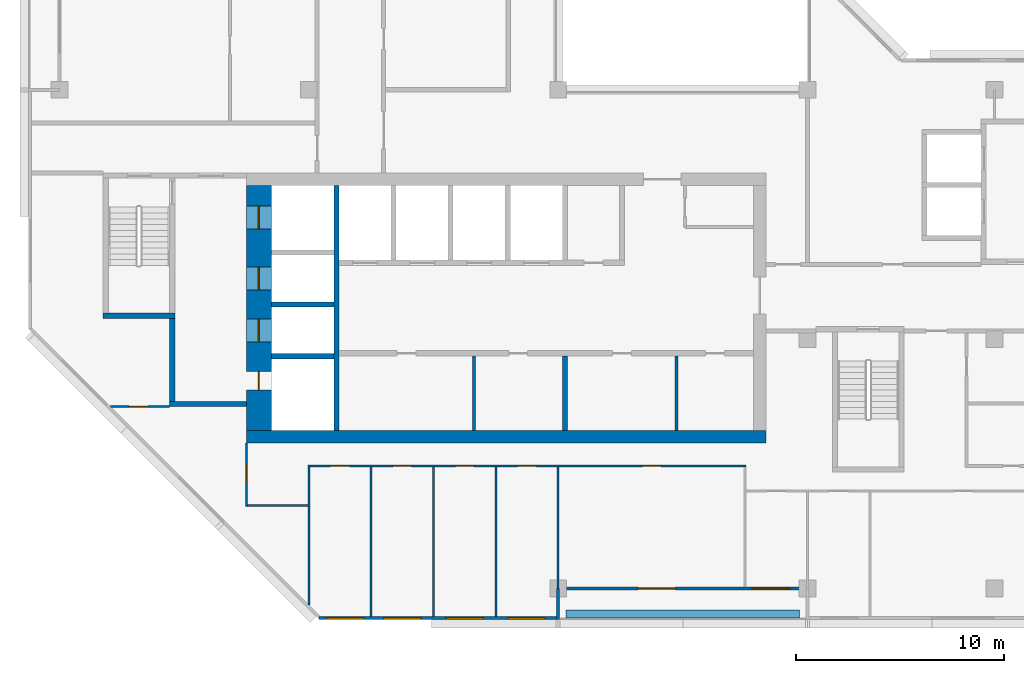
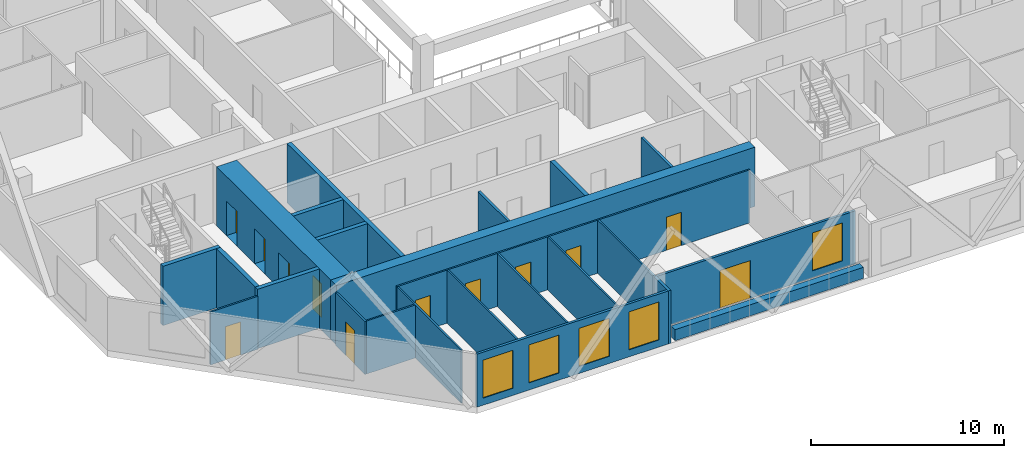
# One storey, part 4 of 13: 24 walls, 12 doors, 5 windows, 17 openings.
"""IFC4 building model written with IfcOpenShell, lengths in metres."""

from ifc_helpers import new_model, si_unit, direction, frame, frame_2d, origin, place, context, subcontext, project, spatial, rectangle, extrude, material, layer, layer_set, type_object, element, fill, save


model = new_model("IFC4")

# Units and contexts
model_context = context("Model", 3, precision=1e-05, world=origin(), true_north=direction((0.0, 1.0)))
body_context = subcontext(model_context, "Body", "Model", "MODEL_VIEW")
ifc_project = project(units=[si_unit("LENGTHUNIT", "METRE"), si_unit("AREAUNIT", "SQUARE_METRE"), si_unit("VOLUMEUNIT", "CUBIC_METRE"), si_unit("PLANEANGLEUNIT", "RADIAN"), si_unit("MASSUNIT", "GRAM", prefix="KILO")], contexts=[model_context])

# Site, building, storey
site_placement = place(None, origin())
site = spatial("IfcSite", under=ifc_project, at=site_placement, CompositionType="ELEMENT")
building_placement = place(site_placement, origin())
building = spatial("IfcBuilding", under=site, at=building_placement, Name="Chenar Terraces", CompositionType="ELEMENT")
storey_placement = place(building_placement, frame((0.0, 0.0, 273.39990234375)))
storey = spatial("IfcBuildingStorey", under=building, at=storey_placement, Name="L63", CompositionType="ELEMENT", Elevation=273.39990234375)

# Walls
ifc_material_1 = material(Name="Gypsum board on steel studs", Category="steel")
ifc_layer_1 = layer(ifc_material_1, 0.14990234375)
ifc_layer_set_1 = layer_set([ifc_layer_1], Name="Gypsum board on steel studs")
wall_type_1 = type_object("IfcWallType", Name="Core partition 150 gypsum board", PredefinedType="PARTITIONING", material=ifc_layer_set_1)
for number, where, z_axis, x_axis, name in (
    (1, (19.949951171875, 7.60009765625, 0.0), (0.0, 0.0, 1.0), (0.0, 1.0, 0.0), "Core partition CP1 freed bay wall"),
    (2, (29.699951171875, 7.60009765625, 0.0), (0.0, 0.0, 1.0), (0.0, 1.0, 0.0), "Core partition CP1 freed bay wall"),
):
    element("IfcWall", number, at=place(storey_placement, frame(where, z_axis=z_axis, x_axis=x_axis)), inside=storey, type_object=wall_type_1, Name=name, PredefinedType="PARTITIONING", context=body_context, shape_type="SweptSolid", body=[
        extrude(rectangle(XDim=3.599853515625, YDim=0.14990234375, at=frame_2d((1.7998046875, 0.0))), origin(), (0.0, 0.0, 1.0), 3.35009765625),
    ])

# Wall, openings, doors
ifc_material_2 = material(Name="Concrete C50/60", Category="concrete")
ifc_layer_2 = layer(ifc_material_2, 1.199951171875)
ifc_layer_set_2 = layer_set([ifc_layer_2], Name="Concrete C50/60")
wall_type_2 = type_object("IfcWallType", Name="Core wall 1200 Concrete C50/60", PredefinedType="SHEAR", material=ifc_layer_set_2)
wall_1_placement = place(storey_placement, frame((9.60009765625, 7.60009765625, 0.0), z_axis=(0.0, 0.0, 1.0), x_axis=(0.0, 1.0, 0.0)))
wall_1 = element("IfcWall", 3, at=wall_1_placement, inside=storey, type_object=wall_type_2, Name="Core wall W L63", PredefinedType="SHEAR", context=body_context, shape_type="SweptSolid", body=[
    extrude(rectangle(XDim=11.7998046875, YDim=1.199951171875, at=frame_2d((5.89990234375, 0.0))), origin(), (0.0, 0.0, 1.0), 3.75),
])
opening_1_placement = place(wall_1_placement, frame((4.27490234375, 0.0, 0.0)))
opening_1 = element("IfcOpeningElement", 4, at=opening_1_placement, cuts=wall_1, Name="Opening DL63-LD5", PredefinedType="OPENING", context=body_context, shape_type="SweptSolid", body=[
    extrude(rectangle(XDim=1.10009765625, YDim=2.199951171875, at=frame_2d((0.550048828125, 1.10009765625))), frame((0.0, 0.60986328125, 0.0), z_axis=(0.0, -1.0, 0.0), x_axis=(1.0, 0.0, 0.0)), (0.0, 0.0, 1.0), 1.219970703125),
])
opening_2_placement = place(wall_1_placement, frame((6.77490234375, 0.0, 0.0)))
opening_2 = element("IfcOpeningElement", 5, at=opening_2_placement, cuts=wall_1, Name="Opening DL63-LD6", PredefinedType="OPENING", context=body_context, shape_type="SweptSolid", body=[
    extrude(rectangle(XDim=1.10009765625, YDim=2.199951171875, at=frame_2d((0.550048828125, 1.10009765625))), frame((0.0, 0.60986328125, 0.0), z_axis=(0.0, -1.0, 0.0), x_axis=(1.0, 0.0, 0.0)), (0.0, 0.0, 1.0), 1.219970703125),
])
opening_3_placement = place(wall_1_placement, frame((9.699951171875, 0.0, 0.0)))
opening_3 = element("IfcOpeningElement", 6, at=opening_3_placement, cuts=wall_1, Name="Opening DL63-LD7", PredefinedType="OPENING", context=body_context, shape_type="SweptSolid", body=[
    extrude(rectangle(XDim=1.10009765625, YDim=2.199951171875, at=frame_2d((0.550048828125, 1.10009765625))), frame((0.0, 0.60986328125, 0.0), z_axis=(0.0, -1.0, 0.0), x_axis=(1.0, 0.0, 0.0)), (0.0, 0.0, 1.0), 1.219970703125),
])
opening_4_placement = place(wall_1_placement, frame((1.949951171875, 0.0, 0.0)))
opening_4 = element("IfcOpeningElement", 7, at=opening_4_placement, cuts=wall_1, Name="Opening DL63-C4", PredefinedType="OPENING", context=body_context, shape_type="SweptSolid", body=[
    extrude(rectangle(XDim=0.89990234375, YDim=2.10009765625, at=frame_2d((0.449951171875, 1.050048828125))), frame((0.0, 0.60986328125, 0.0), z_axis=(0.0, -1.0, 0.0), x_axis=(1.0, 0.0, 0.0)), (0.0, 0.0, 1.0), 1.219970703125),
])
ifc_material_3 = material(Name="Stainless steel", Category="steel")
door_type_1 = type_object("IfcDoorType", Name="Lift landing door 1100 x 2200 sliding", OperationType="DOUBLE_DOOR_SLIDING", PredefinedType="DOOR", material=ifc_material_3)
door_1_placement = place(opening_1_placement, origin())
door_1 = element("IfcDoor", 8, at=door_1_placement, inside=storey, type_object=door_type_1, Name="Landing door S1", OperationType="DOUBLE_DOOR_SLIDING", OverallHeight=2.199951171875, OverallWidth=1.10009765625, PredefinedType="DOOR", context=body_context, shape_type="SweptSolid", body=[
    extrude(rectangle(XDim=1.10009765625, YDim=2.199951171875, at=frame_2d((0.550048828125, 1.10009765625))), frame((0.0, 0.02490234375, 0.0), z_axis=(0.0, -1.0, 0.0), x_axis=(1.0, 0.0, 0.0)), (0.0, 0.0, 1.0), 0.050048828125),
])
fill(opening_1, door_1)
door_2_placement = place(opening_2_placement, origin())
door_2 = element("IfcDoor", 9, at=door_2_placement, inside=storey, type_object=door_type_1, Name="Landing door F1", OperationType="DOUBLE_DOOR_SLIDING", OverallHeight=2.199951171875, OverallWidth=1.10009765625, PredefinedType="DOOR", context=body_context, shape_type="SweptSolid", body=[
    extrude(rectangle(XDim=1.10009765625, YDim=2.199951171875, at=frame_2d((0.550048828125, 1.10009765625))), frame((0.0, 0.02490234375, 0.0), z_axis=(0.0, -1.0, 0.0), x_axis=(1.0, 0.0, 0.0)), (0.0, 0.0, 1.0), 0.050048828125),
])
fill(opening_2, door_2)
door_3_placement = place(opening_3_placement, origin())
door_3 = element("IfcDoor", 10, at=door_3_placement, inside=storey, type_object=door_type_1, Name="Landing door F2", OperationType="DOUBLE_DOOR_SLIDING", OverallHeight=2.199951171875, OverallWidth=1.10009765625, PredefinedType="DOOR", context=body_context, shape_type="SweptSolid", body=[
    extrude(rectangle(XDim=1.10009765625, YDim=2.199951171875, at=frame_2d((0.550048828125, 1.10009765625))), frame((0.0, 0.02490234375, 0.0), z_axis=(0.0, -1.0, 0.0), x_axis=(1.0, 0.0, 0.0)), (0.0, 0.0, 1.0), 0.050048828125),
])
fill(opening_3, door_3)
ifc_material_4 = material(Name="Steel-framed fire-resisting door leaf", Category="steel")
door_type_2 = type_object("IfcDoorType", Name="Riser fire door FD60 900 x 2100", OperationType="SINGLE_SWING_LEFT", PredefinedType="DOOR", material=ifc_material_4)
door_4_placement = place(opening_4_placement, frame((0.89990234375, 0.0, 0.0), z_axis=(0.0, 0.0, 1.0), x_axis=(-1.0, 0.0, 0.0)))
door_4 = element("IfcDoor", 11, at=door_4_placement, inside=storey, type_object=door_type_2, Name="Riser door DL63-C4", OperationType="SINGLE_SWING_LEFT", OverallHeight=2.10009765625, OverallWidth=0.89990234375, PredefinedType="DOOR", context=body_context, shape_type="SweptSolid", body=[
    extrude(rectangle(XDim=0.89990234375, YDim=2.10009765625, at=frame_2d((0.449951171875, 1.050048828125))), frame((0.0, 0.02490234375, 0.0), z_axis=(0.0, -1.0, 0.0), x_axis=(1.0, 0.0, 0.0)), (0.0, 0.0, 1.0), 0.050048828125),
])
fill(opening_4, door_4)

# Walls
ifc_material_5 = material(Name="Concrete C50/60", Category="concrete")
ifc_layer_3 = layer(ifc_material_5, 0.25)
ifc_layer_set_3 = layer_set([ifc_layer_3], Name="Concrete C50/60")
wall_type_3 = type_object("IfcWallType", Name="Core wall 250 Concrete C50/60", PredefinedType="SHEAR", material=ifc_layer_set_3)
wall_2_placement = place(storey_placement, frame((13.324951171875, 7.60009765625, 0.0), z_axis=(0.0, 0.0, 1.0), x_axis=(0.0, 1.0, 0.0)))
element("IfcWall", 12, at=wall_2_placement, inside=storey, type_object=wall_type_3, Name="Core wall WI L63", PredefinedType="SHEAR", context=body_context, shape_type="SweptSolid", body=[
    extrude(rectangle(XDim=11.7998046875, YDim=0.25, at=frame_2d((5.89990234375, 0.0))), origin(), (0.0, 0.0, 1.0), 3.75),
])
for number, where, z_axis, x_axis, name in (
    (13, (10.199951171875, 11.175048828125, 0.0), (0.0, 0.0, 1.0), (1.0, 0.0, 0.0), "Core wall HW0 L63"),
    (14, (10.199951171875, 13.675048828125, 0.0), (0.0, 0.0, 1.0), (1.0, 0.0, 0.0), "Core wall HW1 L63"),
):
    element("IfcWall", number, at=place(storey_placement, frame(where, z_axis=z_axis, x_axis=x_axis)), inside=storey, type_object=wall_type_3, Name=name, PredefinedType="SHEAR", context=body_context, shape_type="SweptSolid", body=[
        extrude(rectangle(XDim=3.0, YDim=0.25, at=frame_2d((1.5, 0.0))), origin(), (0.0, 0.0, 1.0), 3.75),
    ])
wall_3_placement = place(storey_placement, frame((24.324951171875, 7.60009765625, 0.0), z_axis=(0.0, 0.0, 1.0), x_axis=(0.0, 1.0, 0.0)))
element("IfcWall", 15, at=wall_3_placement, inside=storey, type_object=wall_type_3, Name="Core wall SS3 L63", PredefinedType="SHEAR", context=body_context, shape_type="SweptSolid", body=[
    extrude(rectangle(XDim=3.599853515625, YDim=0.25, at=frame_2d((1.7998046875, 0.0))), origin(), (0.0, 0.0, 1.0), 3.75),
])
wall_4_placement = place(storey_placement, frame((2.10009765625, 13.125, 0.0), z_axis=(0.0, 0.0, 1.0), x_axis=(1.0, 0.0, 0.0)))
element("IfcWall", 16, at=wall_4_placement, inside=storey, type_object=wall_type_3, Name="Core wall ST1_S L63", PredefinedType="SHEAR", context=body_context, shape_type="SweptSolid", body=[
    extrude(rectangle(XDim=3.449951171875, YDim=0.25, at=frame_2d((1.72509765625, 0.0))), origin(), (0.0, 0.0, 1.0), 3.75),
])
wall_5_placement = place(storey_placement, frame((5.300048828125, 8.875, 0.0), z_axis=(0.0, 0.0, 1.0), x_axis=(1.0, 0.0, 0.0)))
element("IfcWall", 17, at=wall_5_placement, inside=storey, type_object=wall_type_3, Name="Core wall FFL_S L63", PredefinedType="SHEAR", context=body_context, shape_type="SweptSolid", body=[
    extrude(rectangle(XDim=3.699951171875, YDim=0.25, at=frame_2d((1.85009765625, 0.0))), origin(), (0.0, 0.0, 1.0), 3.75),
])
wall_6_placement = place(storey_placement, frame((5.425048828125, 9.0, 0.0), z_axis=(0.0, 0.0, 1.0), x_axis=(0.0, 1.0, 0.0)))
element("IfcWall", 18, at=wall_6_placement, inside=storey, type_object=wall_type_3, Name="Core wall FFL_W L63", PredefinedType="SHEAR", context=body_context, shape_type="SweptSolid", body=[
    extrude(rectangle(XDim=4.0, YDim=0.25, at=frame_2d((2.0, 0.0))), origin(), (0.0, 0.0, 1.0), 3.75),
])
ifc_material_6 = material(Name="Concrete C50/60", Category="concrete")
ifc_layer_4 = layer(ifc_material_6, 0.60009765625)
ifc_layer_set_4 = layer_set([ifc_layer_4], Name="Concrete C50/60")
wall_type_4 = type_object("IfcWallType", Name="Core wall 600 Concrete C50/60", PredefinedType="SHEAR", material=ifc_layer_set_4)
wall_7_placement = place(storey_placement, frame((9.0, 7.300048828125, 0.0), z_axis=(0.0, 0.0, 1.0), x_axis=(1.0, 0.0, 0.0)))
element("IfcWall", 19, at=wall_7_placement, inside=storey, type_object=wall_type_4, Name="Core wall S L63", PredefinedType="SHEAR", context=body_context, shape_type="SweptSolid", body=[
    extrude(rectangle(XDim=25.0, YDim=0.60009765625, at=frame_2d((12.5, 0.0))), origin(), (0.0, 0.0, 1.0), 3.75),
])

# Wall, openings, windows
ifc_material_7 = material(Name="Aluminium framed glazing", Category="aluminium")
ifc_layer_5 = layer(ifc_material_7, 0.14990234375)
ifc_layer_set_5 = layer_set([ifc_layer_5], Name="Aluminium framed glazing")
wall_type_5 = type_object("IfcWallType", Name="Glazed flush facade wall 150", PredefinedType="SOLIDWALL", material=ifc_layer_set_5)
wall_8_placement = place(storey_placement, frame((12.5, -1.425048828125, 0.0), z_axis=(0.0, 0.0, 1.0), x_axis=(1.0, 0.0, 0.0)))
wall_8 = element("IfcWall", 20, at=wall_8_placement, inside=storey, type_object=wall_type_5, Name="Glazed flush facade wall", PredefinedType="SOLIDWALL", context=body_context, shape_type="SweptSolid", body=[
    extrude(rectangle(XDim=11.425048828125, YDim=0.14990234375, at=frame_2d((5.71240234375, 0.0))), origin(), (0.0, 0.0, 1.0), 3.35009765625),
])
opening_5_placement = place(wall_8_placement, frame((0.35009765625, 0.0, 0.449951171875)))
opening_5 = element("IfcOpeningElement", 21, at=opening_5_placement, cuts=wall_8, Name="Opening W180x240", PredefinedType="OPENING", context=body_context, shape_type="SweptSolid", body=[
    extrude(rectangle(XDim=1.800048828125, YDim=2.39990234375, at=frame_2d((0.89990234375, 1.199951171875))), frame((0.0, 0.0849609375, 0.0), z_axis=(0.0, -1.0, 0.0), x_axis=(1.0, 0.0, 0.0)), (0.0, 0.0, 1.0), 0.169921875),
])
opening_6_placement = place(wall_8_placement, frame((3.10009765625, 0.0, 0.449951171875)))
opening_6 = element("IfcOpeningElement", 22, at=opening_6_placement, cuts=wall_8, Name="Opening W180x240", PredefinedType="OPENING", context=body_context, shape_type="SweptSolid", body=[
    extrude(rectangle(XDim=1.800048828125, YDim=2.39990234375, at=frame_2d((0.89990234375, 1.199951171875))), frame((0.0, 0.0849609375, 0.0), z_axis=(0.0, -1.0, 0.0), x_axis=(1.0, 0.0, 0.0)), (0.0, 0.0, 1.0), 0.169921875),
])
opening_7_placement = place(wall_8_placement, frame((6.10009765625, 0.0, 0.449951171875)))
opening_7 = element("IfcOpeningElement", 23, at=opening_7_placement, cuts=wall_8, Name="Opening W180x240", PredefinedType="OPENING", context=body_context, shape_type="SweptSolid", body=[
    extrude(rectangle(XDim=1.800048828125, YDim=2.39990234375, at=frame_2d((0.89990234375, 1.199951171875))), frame((0.0, 0.0849609375, 0.0), z_axis=(0.0, -1.0, 0.0), x_axis=(1.0, 0.0, 0.0)), (0.0, 0.0, 1.0), 0.169921875),
])
opening_8_placement = place(wall_8_placement, frame((9.0625, 0.0, 0.449951171875)))
opening_8 = element("IfcOpeningElement", 24, at=opening_8_placement, cuts=wall_8, Name="Opening W180x240", PredefinedType="OPENING", context=body_context, shape_type="SweptSolid", body=[
    extrude(rectangle(XDim=1.800048828125, YDim=2.39990234375, at=frame_2d((0.89990234375, 1.199951171875))), frame((0.0, 0.0849609375, 0.0), z_axis=(0.0, -1.0, 0.0), x_axis=(1.0, 0.0, 0.0)), (0.0, 0.0, 1.0), 0.169921875),
])
ifc_material_8 = material(Name="Low emissivity double glazing, aluminium frame", Category="aluminium")
window_type = type_object("IfcWindowType", Name="Fixed light 1800 x 2400", PartitioningType="SINGLE_PANEL", PredefinedType="WINDOW", material=ifc_material_8)
window_1_placement = place(opening_5_placement, origin())
window_1 = element("IfcWindow", 25, at=window_1_placement, inside=storey, type_object=window_type, Name="Window", OverallHeight=2.39990234375, OverallWidth=1.800048828125, PartitioningType="SINGLE_PANEL", PredefinedType="WINDOW", context=body_context, shape_type="SweptSolid", body=[
    extrude(rectangle(XDim=1.800048828125, YDim=2.39990234375, at=frame_2d((0.89990234375, 1.199951171875))), frame((0.0, 0.030029296875, 0.0), z_axis=(0.0, -1.0, 0.0), x_axis=(1.0, 0.0, 0.0)), (0.0, 0.0, 1.0), 0.06005859375),
])
fill(opening_5, window_1)
window_2_placement = place(opening_6_placement, origin())
window_2 = element("IfcWindow", 26, at=window_2_placement, inside=storey, type_object=window_type, Name="Window", OverallHeight=2.39990234375, OverallWidth=1.800048828125, PartitioningType="SINGLE_PANEL", PredefinedType="WINDOW", context=body_context, shape_type="SweptSolid", body=[
    extrude(rectangle(XDim=1.800048828125, YDim=2.39990234375, at=frame_2d((0.89990234375, 1.199951171875))), frame((0.0, 0.030029296875, 0.0), z_axis=(0.0, -1.0, 0.0), x_axis=(1.0, 0.0, 0.0)), (0.0, 0.0, 1.0), 0.06005859375),
])
fill(opening_6, window_2)
window_3_placement = place(opening_7_placement, origin())
window_3 = element("IfcWindow", 27, at=window_3_placement, inside=storey, type_object=window_type, Name="Window", OverallHeight=2.39990234375, OverallWidth=1.800048828125, PartitioningType="SINGLE_PANEL", PredefinedType="WINDOW", context=body_context, shape_type="SweptSolid", body=[
    extrude(rectangle(XDim=1.800048828125, YDim=2.39990234375, at=frame_2d((0.89990234375, 1.199951171875))), frame((0.0, 0.030029296875, 0.0), z_axis=(0.0, -1.0, 0.0), x_axis=(1.0, 0.0, 0.0)), (0.0, 0.0, 1.0), 0.06005859375),
])
fill(opening_7, window_3)
window_4_placement = place(opening_8_placement, origin())
window_4 = element("IfcWindow", 28, at=window_4_placement, inside=storey, type_object=window_type, Name="Window", OverallHeight=2.39990234375, OverallWidth=1.800048828125, PartitioningType="SINGLE_PANEL", PredefinedType="WINDOW", context=body_context, shape_type="SweptSolid", body=[
    extrude(rectangle(XDim=1.800048828125, YDim=2.39990234375, at=frame_2d((0.89990234375, 1.199951171875))), frame((0.0, 0.030029296875, 0.0), z_axis=(0.0, -1.0, 0.0), x_axis=(1.0, 0.0, 0.0)), (0.0, 0.0, 1.0), 0.06005859375),
])
fill(opening_8, window_4)

# Wall, openings, window, door
ifc_material_9 = material(Name="Aluminium framed glazing", Category="aluminium")
ifc_layer_6 = layer(ifc_material_9, 0.14990234375)
ifc_layer_set_6 = layer_set([ifc_layer_6], Name="Aluminium framed glazing")
wall_type_6 = type_object("IfcWallType", Name="Glazed loggia back wall 150", PredefinedType="SOLIDWALL", material=ifc_layer_set_6)
wall_9_placement = place(storey_placement, frame((24.074951171875, 0.0, 0.0), z_axis=(0.0, 0.0, 1.0), x_axis=(1.0, 0.0, 0.0)))
wall_9 = element("IfcWall", 29, at=wall_9_placement, inside=storey, type_object=wall_type_6, Name="Glazed loggia back wall", PredefinedType="SOLIDWALL", context=body_context, shape_type="SweptSolid", body=[
    extrude(rectangle(XDim=11.85009765625, YDim=0.14990234375, at=frame_2d((5.925048828125, 0.0))), origin(), (0.0, 0.0, 1.0), 3.35009765625),
])
opening_9_placement = place(wall_9_placement, frame((3.77490234375, 0.0, 0.0)))
opening_9 = element("IfcOpeningElement", 30, at=opening_9_placement, cuts=wall_9, Name="Opening DL63-G4", PredefinedType="OPENING", context=body_context, shape_type="SweptSolid", body=[
    extrude(rectangle(XDim=1.800048828125, YDim=2.39990234375, at=frame_2d((0.89990234375, 1.199951171875))), frame((0.0, 0.0849609375, 0.0), z_axis=(0.0, -1.0, 0.0), x_axis=(1.0, 0.0, 0.0)), (0.0, 0.0, 1.0), 0.169921875),
])
opening_10_placement = place(wall_9_placement, frame((9.27490234375, 0.0, 0.449951171875)))
opening_10 = element("IfcOpeningElement", 31, at=opening_10_placement, cuts=wall_9, Name="Opening W180x240", PredefinedType="OPENING", context=body_context, shape_type="SweptSolid", body=[
    extrude(rectangle(XDim=1.800048828125, YDim=2.39990234375, at=frame_2d((0.89990234375, 1.199951171875))), frame((0.0, 0.0849609375, 0.0), z_axis=(0.0, -1.0, 0.0), x_axis=(1.0, 0.0, 0.0)), (0.0, 0.0, 1.0), 0.169921875),
])
window_5_placement = place(opening_10_placement, origin())
window_5 = element("IfcWindow", 32, at=window_5_placement, inside=storey, type_object=window_type, Name="Window", OverallHeight=2.39990234375, OverallWidth=1.800048828125, PartitioningType="SINGLE_PANEL", PredefinedType="WINDOW", context=body_context, shape_type="SweptSolid", body=[
    extrude(rectangle(XDim=1.800048828125, YDim=2.39990234375, at=frame_2d((0.89990234375, 1.199951171875))), frame((0.0, 0.030029296875, 0.0), z_axis=(0.0, -1.0, 0.0), x_axis=(1.0, 0.0, 0.0)), (0.0, 0.0, 1.0), 0.06005859375),
])
fill(opening_10, window_5)
ifc_material_10 = material(Name="Low emissivity double glazing, aluminium frame", Category="aluminium")
door_type_3 = type_object("IfcDoorType", Name="Loggia glazed double door 1800 x 2400", OperationType="DOUBLE_DOOR_SINGLE_SWING", PredefinedType="DOOR", material=ifc_material_10)
door_5_placement = place(opening_9_placement, frame((1.800048828125, 0.0, 0.0), z_axis=(0.0, 0.0, 1.0), x_axis=(-1.0, 0.0, 0.0)))
door_5 = element("IfcDoor", 33, at=door_5_placement, inside=storey, type_object=door_type_3, Name="Loggia glazed door", OperationType="DOUBLE_DOOR_SINGLE_SWING", OverallHeight=2.39990234375, OverallWidth=1.800048828125, PredefinedType="DOOR", context=body_context, shape_type="SweptSolid", body=[
    extrude(rectangle(XDim=1.800048828125, YDim=2.39990234375, at=frame_2d((0.89990234375, 1.199951171875))), frame((0.0, 0.02490234375, 0.0), z_axis=(0.0, -1.0, 0.0), x_axis=(1.0, 0.0, 0.0)), (0.0, 0.0, 1.0), 0.050048828125),
])
fill(opening_9, door_5)

# Wall, opening, door
ifc_material_11 = material(Name="Gypsum board on steel studs", Category="steel")
ifc_layer_7 = layer(ifc_material_11, 0.10009765625)
ifc_layer_set_7 = layer_set([ifc_layer_7], Name="Gypsum board on steel studs")
wall_type_7 = type_object("IfcWallType", Name="Gypsum partition 100", PredefinedType="PARTITIONING", material=ifc_layer_set_7)
wall_10_placement = place(storey_placement, frame((2.4609375, 8.75, 0.0), z_axis=(0.0, 0.0, 1.0), x_axis=(1.0, 0.0, 0.0)))
wall_10 = element("IfcWall", 34, at=wall_10_placement, inside=storey, type_object=wall_type_7, Name="Partition L63-010", PredefinedType="PARTITIONING", context=body_context, shape_type="SweptSolid", body=[
    extrude(rectangle(XDim=2.839111328125, YDim=0.10009765625, at=frame_2d((1.41943359375, 0.0))), origin(), (0.0, 0.0, 1.0), 3.35009765625),
])
opening_11_placement = place(wall_10_placement, frame((0.888916015625, 0.0, 0.0)))
opening_11 = element("IfcOpeningElement", 35, at=opening_11_placement, cuts=wall_10, Name="Opening DL63-42", PredefinedType="OPENING", context=body_context, shape_type="SweptSolid", body=[
    extrude(rectangle(XDim=0.89990234375, YDim=2.10009765625, at=frame_2d((0.449951171875, 1.050048828125))), frame((0.0, 0.06005859375, 0.0), z_axis=(0.0, -1.0, 0.0), x_axis=(1.0, 0.0, 0.0)), (0.0, 0.0, 1.0), 0.1201171875),
])
ifc_material_12 = material(Name="Veneered timber door leaf", Category="wood")
door_type_4 = type_object("IfcDoorType", Name="Door 900 x 2100", OperationType="SINGLE_SWING_LEFT", PredefinedType="DOOR", material=ifc_material_12)
door_6_placement = place(opening_11_placement, frame((0.89990234375, 0.0, 0.0), z_axis=(0.0, 0.0, 1.0), x_axis=(-1.0, 0.0, 0.0)))
door_6 = element("IfcDoor", 36, at=door_6_placement, inside=storey, type_object=door_type_4, Name="Door DL63-42", OperationType="SINGLE_SWING_RIGHT", OverallHeight=2.10009765625, OverallWidth=0.89990234375, PredefinedType="DOOR", context=body_context, shape_type="SweptSolid", body=[
    extrude(rectangle(XDim=0.89990234375, YDim=2.10009765625, at=frame_2d((0.449951171875, 1.050048828125))), frame((0.0, 0.02490234375, 0.0), z_axis=(0.0, -1.0, 0.0), x_axis=(1.0, 0.0, 0.0)), (0.0, 0.0, 1.0), 0.050048828125),
])
fill(opening_11, door_6)

wall_11_placement = place(storey_placement, frame((9.0, 3.949951171875, 0.0), z_axis=(0.0, 0.0, 1.0), x_axis=(0.0, 1.0, 0.0)))
wall_11 = element("IfcWall", 37, at=wall_11_placement, inside=storey, type_object=wall_type_7, Name="Partition L63-024", PredefinedType="PARTITIONING", context=body_context, shape_type="SweptSolid", body=[
    extrude(rectangle(XDim=3.050048828125, YDim=0.10009765625, at=frame_2d((1.52490234375, 0.0))), origin(), (0.0, 0.0, 1.0), 3.35009765625),
])
opening_12_placement = place(wall_11_placement, frame((1.10009765625, 0.0, 0.0)))
opening_12 = element("IfcOpeningElement", 38, at=opening_12_placement, cuts=wall_11, Name="Opening DL63-41", PredefinedType="OPENING", context=body_context, shape_type="SweptSolid", body=[
    extrude(rectangle(XDim=0.89990234375, YDim=2.10009765625, at=frame_2d((0.449951171875, 1.050048828125))), frame((0.0, 0.06005859375, 0.0), z_axis=(0.0, -1.0, 0.0), x_axis=(1.0, 0.0, 0.0)), (0.0, 0.0, 1.0), 0.1201171875),
])
door_7_placement = place(opening_12_placement, origin())
door_7 = element("IfcDoor", 39, at=door_7_placement, inside=storey, type_object=door_type_4, Name="Door DL63-41", OperationType="SINGLE_SWING_LEFT", OverallHeight=2.10009765625, OverallWidth=0.89990234375, PredefinedType="DOOR", context=body_context, shape_type="SweptSolid", body=[
    extrude(rectangle(XDim=0.89990234375, YDim=2.10009765625, at=frame_2d((0.449951171875, 1.050048828125))), frame((0.0, 0.02490234375, 0.0), z_axis=(0.0, -1.0, 0.0), x_axis=(1.0, 0.0, 0.0)), (0.0, 0.0, 1.0), 0.050048828125),
])
fill(opening_12, door_7)

# Wall
wall_12_placement = place(storey_placement, frame((9.050048828125, 4.0, 0.0), z_axis=(0.0, 0.0, 1.0), x_axis=(1.0, 0.0, 0.0)))
element("IfcWall", 40, at=wall_12_placement, inside=storey, type_object=wall_type_7, Name="Partition L63-025", PredefinedType="PARTITIONING", context=body_context, shape_type="SweptSolid", body=[
    extrude(rectangle(XDim=2.89990234375, YDim=0.10009765625, at=frame_2d((1.449951171875, 0.0))), origin(), (0.0, 0.0, 1.0), 3.35009765625),
])

# Wall, openings, doors
wall_13_placement = place(storey_placement, frame((11.949951171875, 5.89990234375, 0.0), z_axis=(0.0, 0.0, 1.0), x_axis=(1.0, 0.0, 0.0)))
wall_13 = element("IfcWall", 41, at=wall_13_placement, inside=storey, type_object=wall_type_7, Name="Partition L63-026", PredefinedType="PARTITIONING", context=body_context, shape_type="SweptSolid", body=[
    extrude(rectangle(XDim=21.10009765625, YDim=0.10009765625, at=frame_2d((10.550048828125, 0.0))), origin(), (0.0, 0.0, 1.0), 3.35009765625),
])
opening_13_placement = place(wall_13_placement, frame((1.10009765625, 0.0, 0.0)))
opening_13 = element("IfcOpeningElement", 42, at=opening_13_placement, cuts=wall_13, Name="Opening DL63-35", PredefinedType="OPENING", context=body_context, shape_type="SweptSolid", body=[
    extrude(rectangle(XDim=0.89990234375, YDim=2.10009765625, at=frame_2d((0.449951171875, 1.050048828125))), frame((0.0, 0.06005859375, 0.0), z_axis=(0.0, -1.0, 0.0), x_axis=(1.0, 0.0, 0.0)), (0.0, 0.0, 1.0), 0.1201171875),
])
opening_14_placement = place(wall_13_placement, frame((4.10009765625, 0.0, 0.0)))
opening_14 = element("IfcOpeningElement", 43, at=opening_14_placement, cuts=wall_13, Name="Opening DL63-36", PredefinedType="OPENING", context=body_context, shape_type="SweptSolid", body=[
    extrude(rectangle(XDim=0.89990234375, YDim=2.10009765625, at=frame_2d((0.449951171875, 1.050048828125))), frame((0.0, 0.06005859375, 0.0), z_axis=(0.0, -1.0, 0.0), x_axis=(1.0, 0.0, 0.0)), (0.0, 0.0, 1.0), 0.1201171875),
])
opening_15_placement = place(wall_13_placement, frame((7.10009765625, 0.0, 0.0)))
opening_15 = element("IfcOpeningElement", 44, at=opening_15_placement, cuts=wall_13, Name="Opening DL63-37", PredefinedType="OPENING", context=body_context, shape_type="SweptSolid", body=[
    extrude(rectangle(XDim=0.89990234375, YDim=2.10009765625, at=frame_2d((0.449951171875, 1.050048828125))), frame((0.0, 0.06005859375, 0.0), z_axis=(0.0, -1.0, 0.0), x_axis=(1.0, 0.0, 0.0)), (0.0, 0.0, 1.0), 0.1201171875),
])
opening_16_placement = place(wall_13_placement, frame((10.10009765625, 0.0, 0.0)))
opening_16 = element("IfcOpeningElement", 45, at=opening_16_placement, cuts=wall_13, Name="Opening DL63-38", PredefinedType="OPENING", context=body_context, shape_type="SweptSolid", body=[
    extrude(rectangle(XDim=0.89990234375, YDim=2.10009765625, at=frame_2d((0.449951171875, 1.050048828125))), frame((0.0, 0.06005859375, 0.0), z_axis=(0.0, -1.0, 0.0), x_axis=(1.0, 0.0, 0.0)), (0.0, 0.0, 1.0), 0.1201171875),
])
opening_17_placement = place(wall_13_placement, frame((16.10009765625, 0.0, 0.0)))
opening_17 = element("IfcOpeningElement", 46, at=opening_17_placement, cuts=wall_13, Name="Opening DL63-45", PredefinedType="OPENING", context=body_context, shape_type="SweptSolid", body=[
    extrude(rectangle(XDim=0.89990234375, YDim=2.10009765625, at=frame_2d((0.449951171875, 1.050048828125))), frame((0.0, 0.06005859375, 0.0), z_axis=(0.0, -1.0, 0.0), x_axis=(1.0, 0.0, 0.0)), (0.0, 0.0, 1.0), 0.1201171875),
])
door_8_placement = place(opening_13_placement, frame((0.89990234375, 0.0, 0.0), z_axis=(0.0, 0.0, 1.0), x_axis=(-1.0, 0.0, 0.0)))
door_8 = element("IfcDoor", 47, at=door_8_placement, inside=storey, type_object=door_type_4, Name="Door DL63-35", OperationType="SINGLE_SWING_RIGHT", OverallHeight=2.10009765625, OverallWidth=0.89990234375, PredefinedType="DOOR", context=body_context, shape_type="SweptSolid", body=[
    extrude(rectangle(XDim=0.89990234375, YDim=2.10009765625, at=frame_2d((0.449951171875, 1.050048828125))), frame((0.0, 0.02490234375, 0.0), z_axis=(0.0, -1.0, 0.0), x_axis=(1.0, 0.0, 0.0)), (0.0, 0.0, 1.0), 0.050048828125),
])
fill(opening_13, door_8)
door_9_placement = place(opening_14_placement, frame((0.89990234375, 0.0, 0.0), z_axis=(0.0, 0.0, 1.0), x_axis=(-1.0, 0.0, 0.0)))
door_9 = element("IfcDoor", 48, at=door_9_placement, inside=storey, type_object=door_type_4, Name="Door DL63-36", OperationType="SINGLE_SWING_RIGHT", OverallHeight=2.10009765625, OverallWidth=0.89990234375, PredefinedType="DOOR", context=body_context, shape_type="SweptSolid", body=[
    extrude(rectangle(XDim=0.89990234375, YDim=2.10009765625, at=frame_2d((0.449951171875, 1.050048828125))), frame((0.0, 0.02490234375, 0.0), z_axis=(0.0, -1.0, 0.0), x_axis=(1.0, 0.0, 0.0)), (0.0, 0.0, 1.0), 0.050048828125),
])
fill(opening_14, door_9)
door_10_placement = place(opening_15_placement, frame((0.89990234375, 0.0, 0.0), z_axis=(0.0, 0.0, 1.0), x_axis=(-1.0, 0.0, 0.0)))
door_10 = element("IfcDoor", 49, at=door_10_placement, inside=storey, type_object=door_type_4, Name="Door DL63-37", OperationType="SINGLE_SWING_RIGHT", OverallHeight=2.10009765625, OverallWidth=0.89990234375, PredefinedType="DOOR", context=body_context, shape_type="SweptSolid", body=[
    extrude(rectangle(XDim=0.89990234375, YDim=2.10009765625, at=frame_2d((0.449951171875, 1.050048828125))), frame((0.0, 0.02490234375, 0.0), z_axis=(0.0, -1.0, 0.0), x_axis=(1.0, 0.0, 0.0)), (0.0, 0.0, 1.0), 0.050048828125),
])
fill(opening_15, door_10)
door_11_placement = place(opening_16_placement, frame((0.89990234375, 0.0, 0.0), z_axis=(0.0, 0.0, 1.0), x_axis=(-1.0, 0.0, 0.0)))
door_11 = element("IfcDoor", 50, at=door_11_placement, inside=storey, type_object=door_type_4, Name="Door DL63-38", OperationType="SINGLE_SWING_RIGHT", OverallHeight=2.10009765625, OverallWidth=0.89990234375, PredefinedType="DOOR", context=body_context, shape_type="SweptSolid", body=[
    extrude(rectangle(XDim=0.89990234375, YDim=2.10009765625, at=frame_2d((0.449951171875, 1.050048828125))), frame((0.0, 0.02490234375, 0.0), z_axis=(0.0, -1.0, 0.0), x_axis=(1.0, 0.0, 0.0)), (0.0, 0.0, 1.0), 0.050048828125),
])
fill(opening_16, door_11)
door_12_placement = place(opening_17_placement, frame((0.89990234375, 0.0, 0.0), z_axis=(0.0, 0.0, 1.0), x_axis=(-1.0, 0.0, 0.0)))
door_12 = element("IfcDoor", 51, at=door_12_placement, inside=storey, type_object=door_type_4, Name="Door DL63-45", OperationType="SINGLE_SWING_RIGHT", OverallHeight=2.10009765625, OverallWidth=0.89990234375, PredefinedType="DOOR", context=body_context, shape_type="SweptSolid", body=[
    extrude(rectangle(XDim=0.89990234375, YDim=2.10009765625, at=frame_2d((0.449951171875, 1.050048828125))), frame((0.0, 0.02490234375, 0.0), z_axis=(0.0, -1.0, 0.0), x_axis=(1.0, 0.0, 0.0)), (0.0, 0.0, 1.0), 0.050048828125),
])
fill(opening_17, door_12)

# Walls
wall_14_placement = place(storey_placement, frame((12.0, -0.787841796875, 0.0), z_axis=(0.0, 0.0, 1.0), x_axis=(0.0, 1.0, 0.0)))
element("IfcWall", 52, at=wall_14_placement, inside=storey, type_object=wall_type_7, Name="Partition L63-027", PredefinedType="PARTITIONING", context=body_context, shape_type="SweptSolid", body=[
    extrude(rectangle(XDim=6.637939453125, YDim=0.10009765625, at=frame_2d((3.31884765625, 0.0))), origin(), (0.0, 0.0, 1.0), 3.35009765625),
])
for number, where, z_axis, x_axis, name in (
    (53, (15.0, -1.35107421875, 0.0), (0.0, 0.0, 1.0), (0.0, 1.0, 0.0), "Partition L63-029"),
    (54, (18.0, -1.35107421875, 0.0), (0.0, 0.0, 1.0), (0.0, 1.0, 0.0), "Partition L63-038"),
    (55, (21.0, -1.35107421875, 0.0), (0.0, 0.0, 1.0), (0.0, 1.0, 0.0), "Partition L63-042"),
):
    element("IfcWall", number, at=place(storey_placement, frame(where, z_axis=z_axis, x_axis=x_axis)), inside=storey, type_object=wall_type_7, Name=name, PredefinedType="PARTITIONING", context=body_context, shape_type="SweptSolid", body=[
        extrude(rectangle(XDim=7.201171875, YDim=0.10009765625, at=frame_2d((3.6005859375, 0.0))), origin(), (0.0, 0.0, 1.0), 3.35009765625),
    ])
wall_15_placement = place(storey_placement, frame((24.0, 0.0, 0.0), z_axis=(0.0, 0.0, 1.0), x_axis=(0.0, 1.0, 0.0)))
element("IfcWall", 56, at=wall_15_placement, inside=storey, type_object=wall_type_7, Name="Partition L63-044", PredefinedType="PARTITIONING", context=body_context, shape_type="SweptSolid", body=[
    extrude(rectangle(XDim=5.85009765625, YDim=0.10009765625, at=frame_2d((2.925048828125, 0.0))), origin(), (0.0, 0.0, 1.0), 3.35009765625),
])
ifc_material_13 = material(Name="Terracotta cladding on insulated backing", Category="masonry")
ifc_layer_8 = layer(ifc_material_13, 0.14990234375)
ifc_layer_set_8 = layer_set([ifc_layer_8], Name="Terracotta cladding on insulated backing")
wall_type_8 = type_object("IfcWallType", Name="Loggia return wall 150", PredefinedType="SOLIDWALL", material=ifc_layer_set_8)
wall_16_placement = place(storey_placement, frame((24.0, -1.5, 0.0), z_axis=(0.0, 0.0, 1.0), x_axis=(0.0, 1.0, 0.0)))
element("IfcWall", 57, at=wall_16_placement, inside=storey, type_object=wall_type_8, Name="Loggia return wall", PredefinedType="SOLIDWALL", context=body_context, shape_type="SweptSolid", body=[
    extrude(rectangle(XDim=1.5, YDim=0.14990234375, at=frame_2d((0.75, 0.0))), origin(), (0.0, 0.0, 1.0), 3.35009765625),
])
ifc_material_14 = material(Name="GRP planter trough")
ifc_layer_9 = layer(ifc_material_14, 0.39990234375)
ifc_layer_set_9 = layer_set([ifc_layer_9], Name="GRP planter trough")
wall_type_9 = type_object("IfcWallType", Name="Vertical greenery planter 400", PredefinedType="SOLIDWALL", material=ifc_layer_set_9)
wall_17_placement = place(storey_placement, frame((24.375, -1.22900390625, 0.0), z_axis=(0.0, 0.0, 1.0), x_axis=(1.0, 0.0, 0.0)))
element("IfcWall", 58, at=wall_17_placement, inside=storey, type_object=wall_type_9, Name="Vertical greenery planter", PredefinedType="SOLIDWALL", context=body_context, shape_type="SweptSolid", body=[
    extrude(rectangle(XDim=11.25, YDim=0.39990234375, at=frame_2d((5.625, 0.0))), origin(), (0.0, 0.0, 1.0), 0.7001953125),
])

save(model, "model.ifc")
